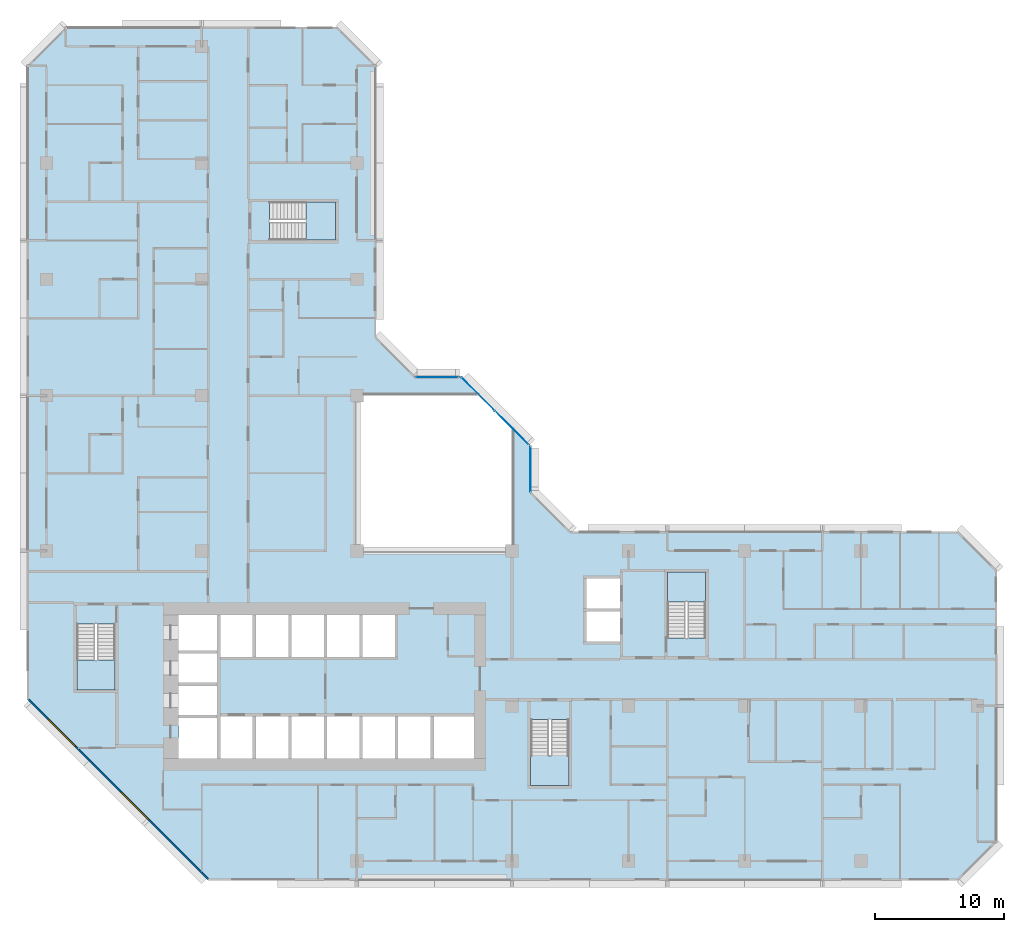
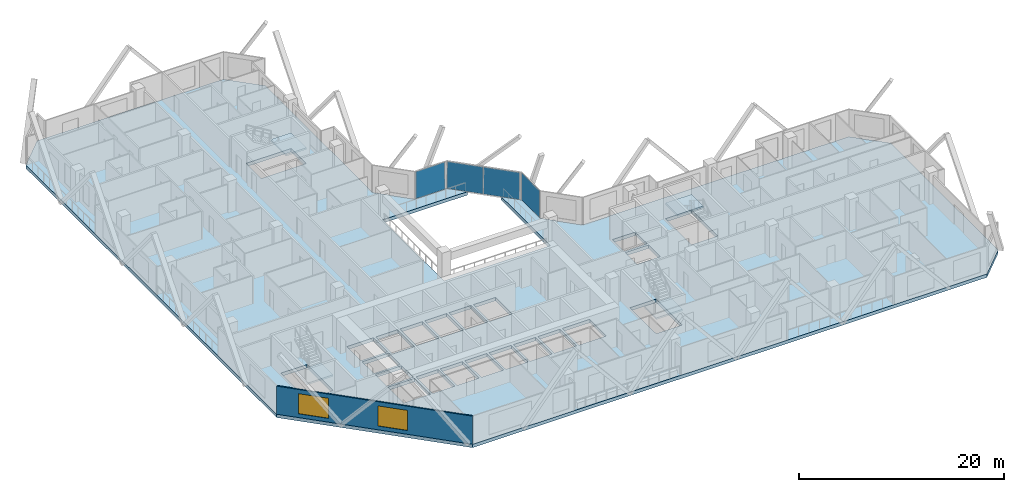
# One storey, part 3 of 14: 5 slabs, 4 plates, 2 windows, 1 wall, 2 openings, 7 elements without a shape of their own.
"""IFC4 building model written with IfcOpenShell, lengths in metres."""

from ifc_helpers import new_model, si_unit, direction, frame, frame_2d, origin, origin_2d, place, context, subcontext, project, spatial, polyline, rectangle, outline, extrude, material, layer, layer_set, type_object, element, fill, aggregate, save


model = new_model("IFC4")

# Units and contexts
model_context = context("Model", 3, precision=1e-05, world=origin(), true_north=direction((0.0, 1.0)))
body_context = subcontext(model_context, "Body", "Model", "MODEL_VIEW")
ifc_project = project(units=[si_unit("LENGTHUNIT", "METRE"), si_unit("AREAUNIT", "SQUARE_METRE"), si_unit("VOLUMEUNIT", "CUBIC_METRE"), si_unit("PLANEANGLEUNIT", "RADIAN"), si_unit("MASSUNIT", "GRAM", prefix="KILO")], contexts=[model_context])

# Site, building, storey
site_placement = place(None, origin())
site = spatial("IfcSite", under=ifc_project, at=site_placement, CompositionType="ELEMENT")
building_placement = place(site_placement, origin())
building = spatial("IfcBuilding", under=site, at=building_placement, Name="Chenar Terraces", CompositionType="ELEMENT")
storey_placement = place(building_placement, frame((0.0, 0.0, 91.89990234375)))
storey = spatial("IfcBuildingStorey", under=building, at=storey_placement, Name="L20", CompositionType="ELEMENT", Elevation=91.89990234375)

# Curtain wall, plate
ifc_material_1 = material(Name="Aluminium framed glazing", Category="aluminium")
ifc_layer_1 = layer(ifc_material_1, 0.14990234375)
ifc_layer_set_1 = layer_set([ifc_layer_1], Name="Aluminium framed glazing")
curtain_wall_type = type_object("IfcCurtainWallType", Name="Atrium curtain wall", PredefinedType="NOTDEFINED", material=ifc_layer_set_1)
placement_1 = place(storey_placement, origin())
curtain_wall_1 = element("IfcCurtainWall", 1, at=placement_1, inside=storey, type_object=curtain_wall_type, Name="Atrium curtain wall", PredefinedType="NOTDEFINED")
ifc_material_2 = material(Name="Low emissivity laminated glass, solar control coating", Category="glass")
ifc_layer_2 = layer(ifc_material_2, 0.028076171875)
ifc_layer_set_2 = layer_set([ifc_layer_2], Name="Low emissivity laminated glass, solar control coating")
plate_type = type_object("IfcPlateType", Name="Atrium glazing panel 28", PredefinedType="CURTAIN_PANEL", material=ifc_layer_set_2)
plate_1_placement = place(storey_placement, frame((37.425048828125, 30.300048828125, 0.06005859375), z_axis=(0.0, 0.0, 1.0), x_axis=(0.0, 1.0, 0.0)))
plate_1 = element("IfcPlate", 2, at=plate_1_placement, type_object=plate_type, Name="CW1-1 panel 1.1", PredefinedType="CURTAIN_PANEL", context=body_context, shape_type="SweptSolid", body=[
    extrude(rectangle(XDim=3.47998046875, YDim=0.028076171875, at=origin_2d()), origin(), (0.0, 0.0, 1.0), 3.22998046875),
])
aggregate(curtain_wall_1, [plate_1])

# Curtain wall, plates
curtain_wall_2 = element("IfcCurtainWall", 3, at=placement_1, inside=storey, type_object=curtain_wall_type, Name="Atrium curtain wall", PredefinedType="NOTDEFINED")
plate_2_placement = place(storey_placement, frame((35.980224609375, 33.513671875, 0.06005859375), z_axis=(0.0, 0.0, 1.0), x_axis=(-0.707106781187, 0.707106781187, 0.0)))
plate_2 = element("IfcPlate", 4, at=plate_2_placement, type_object=plate_type, Name="CW1-2 panel 1.1", PredefinedType="CURTAIN_PANEL", context=body_context, shape_type="SweptSolid", body=[
    extrude(rectangle(XDim=3.62841796875, YDim=0.028076171875, at=origin_2d()), origin(), (0.0, 0.0, 1.0), 3.22998046875),
])
plate_3_placement = place(storey_placement, frame((33.3720703125, 36.121826171875, 0.06005859375), z_axis=(0.0, 0.0, 1.0), x_axis=(-0.707106781187, 0.707106781187, 0.0)))
plate_3 = element("IfcPlate", 5, at=plate_3_placement, type_object=plate_type, Name="CW1-2 panel 2.1", PredefinedType="CURTAIN_PANEL", context=body_context, shape_type="SweptSolid", body=[
    extrude(rectangle(XDim=3.62841796875, YDim=0.028076171875, at=origin_2d()), origin(), (0.0, 0.0, 1.0), 3.22998046875),
])
aggregate(curtain_wall_2, [plate_2, plate_3])

# Curtain wall, plate
curtain_wall_3 = element("IfcCurtainWall", 6, at=placement_1, inside=storey, type_object=curtain_wall_type, Name="Atrium curtain wall", PredefinedType="NOTDEFINED")
plate_4_placement = place(storey_placement, frame((30.199951171875, 37.425048828125, 0.06005859375), z_axis=(0.0, 0.0, 1.0), x_axis=(-1.0, 0.0, 0.0)))
plate_4 = element("IfcPlate", 7, at=plate_4_placement, type_object=plate_type, Name="CW1-3 panel 1.1", PredefinedType="CURTAIN_PANEL", context=body_context, shape_type="SweptSolid", body=[
    extrude(rectangle(XDim=3.280029296875, YDim=0.028076171875, at=origin_2d()), origin(), (0.0, 0.0, 1.0), 3.22998046875),
])
aggregate(curtain_wall_3, [plate_4])

# Stair, slab
ifc_material_3 = material(Name="Reinforced concrete C40/50", Category="concrete")
stair_type = type_object("IfcStairType", Name="Core stair 1400 half-turn", PredefinedType="HALF_TURN_STAIR", material=ifc_material_3)
stair_1 = element("IfcStair", 8, at=placement_1, inside=storey, type_object=stair_type, Name="L20 Stair 1", PredefinedType="HALF_TURN_STAIR")
ifc_material_4 = material(Name="Reinforced concrete C40/50", Category="concrete")
ifc_layer_3 = layer(ifc_material_4, 0.199951171875)
ifc_layer_set_3 = layer_set([ifc_layer_3], Name="Reinforced concrete C40/50")
slab_type_1 = type_object("IfcSlabType", Name="Core stair landing 200", PredefinedType="LANDING", material=ifc_layer_set_3)
placement_2 = place(storey_placement, frame((0.0, 0.0, 1.675048828125)))
slab_1 = element("IfcSlab", 9, at=placement_2, type_object=slab_type_1, Name="ST1 landing 1", PredefinedType="LANDING", context=body_context, shape_type="SweptSolid", body=[
    extrude(outline(polyline([(2.35009765625, 15.550048828125), (2.35009765625, 13.25), (5.300048828125, 13.25), (5.300048828125, 15.550048828125), (2.35009765625, 15.550048828125)])), origin(), (0.0, 0.0, 1.0), 0.199951171875),
])
aggregate(stair_1, [slab_1])

stair_2 = element("IfcStair", 10, at=placement_1, inside=storey, type_object=stair_type, Name="L20 Stair 2", PredefinedType="HALF_TURN_STAIR")
slab_2 = element("IfcSlab", 11, at=placement_2, type_object=slab_type_1, Name="ST2 landing 1", PredefinedType="LANDING", context=body_context, shape_type="SweptSolid", body=[
    extrude(outline(polyline([(37.449951171875, 8.14990234375), (37.449951171875, 5.85009765625), (40.39990234375, 5.85009765625), (40.39990234375, 8.14990234375), (37.449951171875, 8.14990234375)])), origin(), (0.0, 0.0, 1.0), 0.199951171875),
])
aggregate(stair_2, [slab_2])

stair_3 = element("IfcStair", 12, at=placement_1, inside=storey, type_object=stair_type, Name="L20 Stair 3", PredefinedType="HALF_TURN_STAIR")
slab_3 = element("IfcSlab", 13, at=placement_2, type_object=slab_type_1, Name="ST3 landing 1", PredefinedType="LANDING", context=body_context, shape_type="SweptSolid", body=[
    extrude(outline(polyline([(50.97509765625, 20.050048828125), (50.97509765625, 22.35009765625), (48.02490234375, 22.35009765625), (48.02490234375, 20.050048828125), (50.97509765625, 20.050048828125)])), origin(), (0.0, 0.0, 1.0), 0.199951171875),
])
aggregate(stair_3, [slab_3])

stair_4 = element("IfcStair", 14, at=placement_1, inside=storey, type_object=stair_type, Name="L20 Stair 4", PredefinedType="HALF_TURN_STAIR")
slab_4 = element("IfcSlab", 15, at=placement_2, type_object=slab_type_1, Name="ST4 landing 1", PredefinedType="LANDING", context=body_context, shape_type="SweptSolid", body=[
    extrude(outline(polyline([(20.050048828125, 48.02490234375), (22.35009765625, 48.02490234375), (22.35009765625, 50.97509765625), (20.050048828125, 50.97509765625), (20.050048828125, 48.02490234375)])), origin(), (0.0, 0.0, 1.0), 0.199951171875),
])
aggregate(stair_4, [slab_4])

# Slab
ifc_material_5 = material(Name="Concrete C40/50", Category="concrete")
ifc_layer_4 = layer(ifc_material_5, 0.39990234375)
ifc_layer_set_4 = layer_set([ifc_layer_4], Name="Concrete C40/50")
slab_type_2 = type_object("IfcSlabType", Name="Floor slab 400 Concrete C40/50", PredefinedType="FLOOR", material=ifc_layer_set_4)
slab_5_placement = place(storey_placement, frame((0.0, 0.0, -0.39990234375)))
element("IfcSlab", 16, at=slab_5_placement, inside=storey, type_object=slab_type_2, Name="Floor slab L20", PredefinedType="FLOOR", context=body_context, shape_type="SweptSolid", body=[
    extrude(outline(polyline([(73.5, 22.5), (73.5, 1.5), (70.5, -1.5), (12.5, -1.5), (-1.5, 12.5), (-1.5, 61.5), (1.5, 64.5), (22.5, 64.5), (25.5, 61.5), (25.5, 40.5), (28.5, 37.5), (32.10009765625, 37.5), (33.60009765625, 36.0), (24.0, 36.0), (24.0, 24.0), (36.0, 24.0), (36.0, 33.60009765625), (37.5, 32.10009765625), (37.5, 28.5), (40.5, 25.5), (70.5, 25.5), (73.5, 22.5)]), holes=[polyline([(13.199951171875, 11.050048828125), (10.199951171875, 11.050048828125), (10.199951171875, 7.949951171875), (13.199951171875, 7.949951171875), (13.199951171875, 11.050048828125)]), polyline([(15.949951171875, 11.199951171875), (13.449951171875, 11.199951171875), (13.449951171875, 7.949951171875), (15.949951171875, 7.949951171875), (15.949951171875, 11.199951171875)]), polyline([(18.699951171875, 11.199951171875), (16.199951171875, 11.199951171875), (16.199951171875, 7.949951171875), (18.699951171875, 7.949951171875), (18.699951171875, 11.199951171875)]), polyline([(21.449951171875, 7.949951171875), (21.449951171875, 11.199951171875), (18.949951171875, 11.199951171875), (18.949951171875, 7.949951171875), (21.449951171875, 7.949951171875)]), polyline([(13.199951171875, 11.300048828125), (13.199951171875, 13.550048828125), (10.199951171875, 13.550048828125), (10.199951171875, 11.300048828125), (13.199951171875, 11.300048828125)]), polyline([(13.199951171875, 16.050048828125), (10.199951171875, 16.050048828125), (10.199951171875, 13.800048828125), (13.199951171875, 13.800048828125), (13.199951171875, 16.050048828125)]), polyline([(2.35009765625, 18.35009765625), (2.35009765625, 13.25), (5.300048828125, 13.25), (5.300048828125, 18.35009765625), (2.35009765625, 18.35009765625)]), polyline([(15.949951171875, 15.800048828125), (15.949951171875, 19.050048828125), (13.449951171875, 19.050048828125), (13.449951171875, 15.800048828125), (15.949951171875, 15.800048828125)]), polyline([(18.699951171875, 19.050048828125), (16.199951171875, 19.050048828125), (16.199951171875, 15.800048828125), (18.699951171875, 15.800048828125), (18.699951171875, 19.050048828125)]), polyline([(21.449951171875, 15.800048828125), (21.449951171875, 19.050048828125), (18.949951171875, 19.050048828125), (18.949951171875, 15.800048828125), (21.449951171875, 15.800048828125)]), polyline([(13.199951171875, 16.300048828125), (13.199951171875, 19.050048828125), (10.199951171875, 19.050048828125), (10.199951171875, 16.300048828125), (13.199951171875, 16.300048828125)]), polyline([(22.35009765625, 48.02490234375), (22.35009765625, 50.97509765625), (17.25, 50.97509765625), (17.25, 48.02490234375), (22.35009765625, 48.02490234375)]), polyline([(37.449951171875, 10.949951171875), (37.449951171875, 5.85009765625), (40.39990234375, 5.85009765625), (40.39990234375, 10.949951171875), (37.449951171875, 10.949951171875)]), polyline([(24.199951171875, 7.949951171875), (24.199951171875, 11.199951171875), (21.699951171875, 11.199951171875), (21.699951171875, 7.949951171875), (24.199951171875, 7.949951171875)]), polyline([(26.949951171875, 11.199951171875), (24.449951171875, 11.199951171875), (24.449951171875, 7.949951171875), (26.949951171875, 7.949951171875), (26.949951171875, 11.199951171875)]), polyline([(29.699951171875, 7.949951171875), (29.699951171875, 11.199951171875), (27.199951171875, 11.199951171875), (27.199951171875, 7.949951171875), (29.699951171875, 7.949951171875)]), polyline([(33.050048828125, 7.949951171875), (33.050048828125, 11.199951171875), (29.949951171875, 11.199951171875), (29.949951171875, 7.949951171875), (33.050048828125, 7.949951171875)]), polyline([(24.199951171875, 19.050048828125), (21.699951171875, 19.050048828125), (21.699951171875, 15.800048828125), (24.199951171875, 15.800048828125), (24.199951171875, 19.050048828125)]), polyline([(26.949951171875, 15.800048828125), (26.949951171875, 19.050048828125), (24.449951171875, 19.050048828125), (24.449951171875, 15.800048828125), (26.949951171875, 15.800048828125)]), polyline([(44.35009765625, 17.0), (44.35009765625, 19.300048828125), (41.75, 19.300048828125), (41.75, 17.0), (44.35009765625, 17.0)]), polyline([(50.97509765625, 22.35009765625), (48.02490234375, 22.35009765625), (48.02490234375, 17.25), (50.97509765625, 17.25), (50.97509765625, 22.35009765625)]), polyline([(44.35009765625, 19.550048828125), (44.35009765625, 21.85009765625), (41.75, 21.85009765625), (41.75, 19.550048828125), (44.35009765625, 19.550048828125)])]), origin(), (0.0, 0.0, 1.0), 0.39990234375),
])

# Wall, openings, windows
ifc_material_6 = material(Name="Terracotta cladding on insulated backing", Category="masonry")
ifc_layer_5 = layer(ifc_material_6, 0.14990234375)
ifc_layer_set_5 = layer_set([ifc_layer_5], Name="Terracotta cladding on insulated backing")
wall_type = type_object("IfcWallType", Name="Terracotta rainscreen wall 150", PredefinedType="SOLIDWALL", material=ifc_layer_set_5)
wall_placement = place(storey_placement, frame((-1.447021484375, 12.552978515625, 0.0), z_axis=(0.0, 0.0, 1.0), x_axis=(0.707106781187, -0.707106781187, 0.0)))
wall = element("IfcWall", 17, at=wall_placement, inside=storey, type_object=wall_type, Name="Terracotta rainscreen wall", PredefinedType="SOLIDWALL", context=body_context, shape_type="SweptSolid", body=[
    extrude(rectangle(XDim=19.799072265625, YDim=0.14990234375, at=frame_2d((9.8994140625, 0.0))), origin(), (0.0, 0.0, 1.0), 3.35009765625),
])
opening_1_placement = place(wall_placement, frame((2.21240234375, 0.0, 0.449951171875)))
opening_1 = element("IfcOpeningElement", 18, at=opening_1_placement, cuts=wall, Name="Opening W300x240", PredefinedType="OPENING", context=body_context, shape_type="SweptSolid", body=[
    extrude(rectangle(XDim=3.0, YDim=2.39990234375, at=frame_2d((1.5, 1.199951171875))), frame((0.0, 0.0849609375, 0.0), z_axis=(0.0, -1.0, 0.0), x_axis=(1.0, 0.0, 0.0)), (0.0, 0.0, 1.0), 0.169921875),
])
opening_2_placement = place(wall_placement, frame((10.215576171875, 0.0, 0.449951171875)))
opening_2 = element("IfcOpeningElement", 19, at=opening_2_placement, cuts=wall, Name="Opening W300x240", PredefinedType="OPENING", context=body_context, shape_type="SweptSolid", body=[
    extrude(rectangle(XDim=3.0, YDim=2.39990234375, at=frame_2d((1.5, 1.199951171875))), frame((0.0, 0.0849609375, 0.0), z_axis=(0.0, -1.0, 0.0), x_axis=(1.0, 0.0, 0.0)), (0.0, 0.0, 1.0), 0.169921875),
])
ifc_material_7 = material(Name="Low emissivity double glazing, aluminium frame", Category="aluminium")
window_type = type_object("IfcWindowType", Name="Fixed light 3000 x 2400", PartitioningType="SINGLE_PANEL", PredefinedType="WINDOW", material=ifc_material_7)
window_1_placement = place(opening_1_placement, origin())
window_1 = element("IfcWindow", 20, at=window_1_placement, inside=storey, type_object=window_type, Name="Window", OverallHeight=2.39990234375, OverallWidth=3.0, PartitioningType="SINGLE_PANEL", PredefinedType="WINDOW", context=body_context, shape_type="SweptSolid", body=[
    extrude(rectangle(XDim=3.0, YDim=2.39990234375, at=frame_2d((1.5, 1.199951171875))), frame((0.0, 0.030029296875, 0.0), z_axis=(0.0, -1.0, 0.0), x_axis=(1.0, 0.0, 0.0)), (0.0, 0.0, 1.0), 0.06005859375),
])
fill(opening_1, window_1)
window_2_placement = place(opening_2_placement, origin())
window_2 = element("IfcWindow", 21, at=window_2_placement, inside=storey, type_object=window_type, Name="Window", OverallHeight=2.39990234375, OverallWidth=3.0, PartitioningType="SINGLE_PANEL", PredefinedType="WINDOW", context=body_context, shape_type="SweptSolid", body=[
    extrude(rectangle(XDim=3.0, YDim=2.39990234375, at=frame_2d((1.5, 1.199951171875))), frame((0.0, 0.030029296875, 0.0), z_axis=(0.0, -1.0, 0.0), x_axis=(1.0, 0.0, 0.0)), (0.0, 0.0, 1.0), 0.06005859375),
])
fill(opening_2, window_2)

save(model, "model.ifc")
